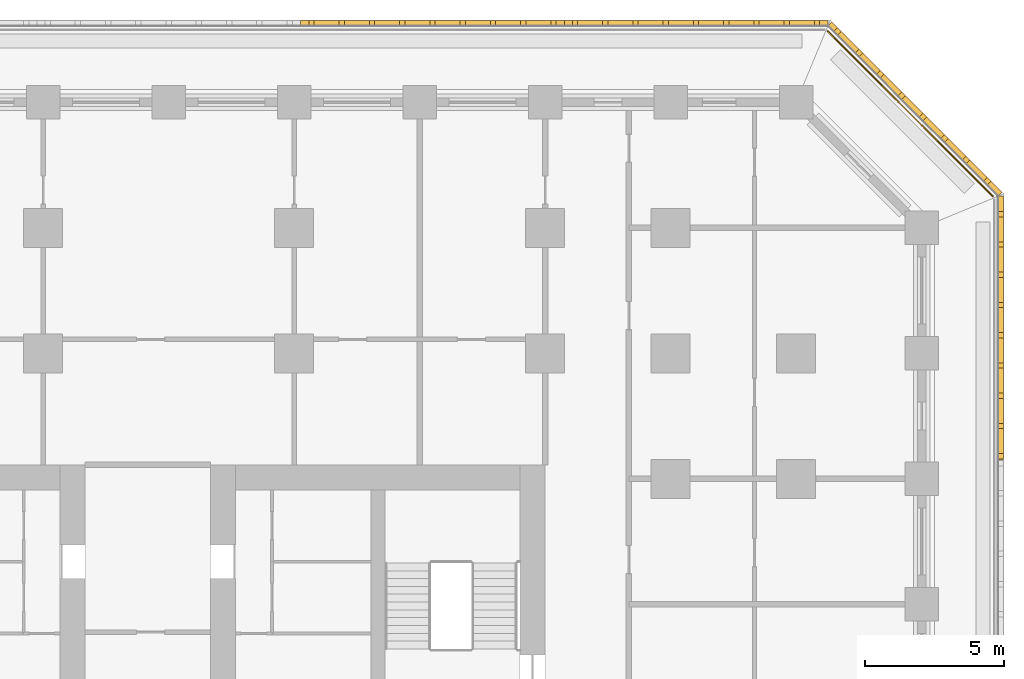
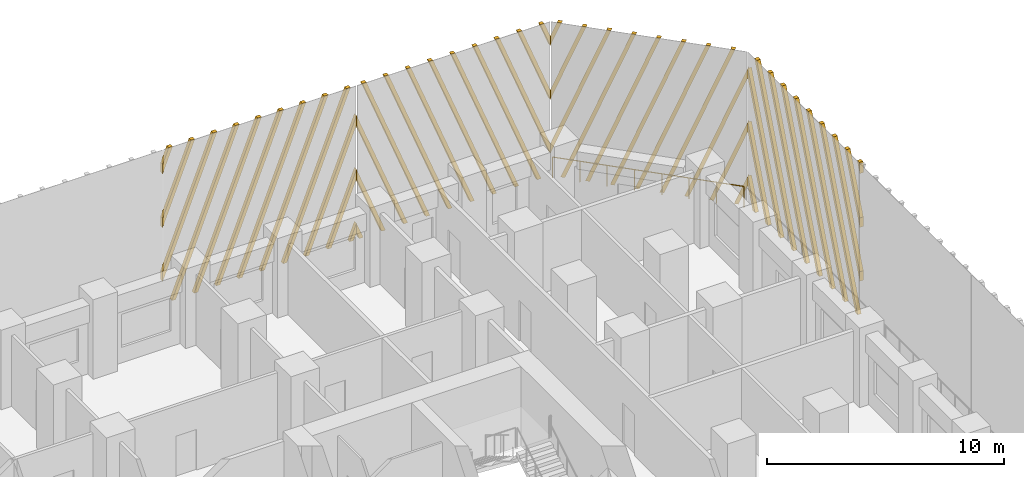
# One storey, part 19 of 20: 4 shading devices, 1 railing.
"""IFC4 building model written with IfcOpenShell, lengths in metres."""

from ifc_helpers import new_model, si_unit, direction, frame, origin, origin_2d, place, context, subcontext, project, spatial, polyline, circle, outline, extrude, source, transform, mapped, material, type_object, element, save


model = new_model("IFC4")

# Units and contexts
model_context = context("Model", 3, precision=1e-05, world=origin(), true_north=direction((0.0, 1.0)))
body_context = subcontext(model_context, "Body", "Model", "MODEL_VIEW")
ifc_project = project(units=[si_unit("LENGTHUNIT", "METRE"), si_unit("AREAUNIT", "SQUARE_METRE"), si_unit("VOLUMEUNIT", "CUBIC_METRE"), si_unit("PLANEANGLEUNIT", "RADIAN"), si_unit("MASSUNIT", "GRAM", prefix="KILO")], contexts=[model_context])

# Site, building, storey
site_placement = place(None, origin())
site = spatial("IfcSite", under=ifc_project, at=site_placement, CompositionType="ELEMENT")
building_placement = place(site_placement, origin())
building = spatial("IfcBuilding", under=site, at=building_placement, Name="Corbel Stack Research Tower", CompositionType="ELEMENT")
storey_placement = place(building_placement, frame((0.0, 0.0, 98.39990234375)))
storey = spatial("IfcBuildingStorey", under=building, at=storey_placement, Name="L22", CompositionType="ELEMENT", Elevation=98.39990234375)

# Railing
ifc_material_1 = material(Name="Powder-coated steel guard", Category="steel")
railing_type = type_object("IfcRailingType", Name="Steel and glass guard 1100", PredefinedType="GUARDRAIL", material=ifc_material_1)
railing_placement = place(storey_placement, frame((34.04931640625, 28.127685546875, 0.0)))
element("IfcRailing", 1, at=railing_placement, inside=storey, type_object=railing_type, Name="Loggia guard L22 NE", PredefinedType="GUARDRAIL", context=body_context, shape_type="SweptSolid", body=[
    extrude(circle(Radius=0.02392578125, at=origin_2d()), frame((0.0, 0.0, 1.076171875), z_axis=(-0.707106781187, 0.707106781187, 0.0), x_axis=(-0.707106781187, -0.707106781187, 0.0)), (0.0, 0.0, 1.0), 8.37451171875),
    extrude(circle(Radius=0.02099609375, at=origin_2d()), origin(), (0.0, 0.0, 1.0), 1.052001953125),
    extrude(circle(Radius=0.02099609375, at=origin_2d()), frame((-0.845947265625, 0.845947265625, 0.0)), (0.0, 0.0, 1.0), 1.052001953125),
    extrude(circle(Radius=0.02099609375, at=origin_2d()), frame((-1.69189453125, 1.69189453125, 0.0)), (0.0, 0.0, 1.0), 1.052001953125),
    extrude(circle(Radius=0.02099609375, at=origin_2d()), frame((-2.537841796875, 2.537841796875, 0.0)), (0.0, 0.0, 1.0), 1.052001953125),
    extrude(circle(Radius=0.02099609375, at=origin_2d()), frame((-3.3837890625, 3.3837890625, 0.0)), (0.0, 0.0, 1.0), 1.052001953125),
    extrude(circle(Radius=0.02099609375, at=origin_2d()), frame((-4.229736328125, 4.229736328125, 0.0)), (0.0, 0.0, 1.0), 1.052001953125),
    extrude(circle(Radius=0.02099609375, at=origin_2d()), frame((-5.07568359375, 5.07568359375, 0.0)), (0.0, 0.0, 1.0), 1.052001953125),
    extrude(circle(Radius=0.02099609375, at=origin_2d()), frame((-5.921630859375, 5.921630859375, 0.0)), (0.0, 0.0, 1.0), 1.052001953125),
])

# Shading devices
ifc_material_2 = material(Name="Precast terracotta", Category="masonry")
shading_device_type = type_object("IfcShadingDeviceType", Name="Terracotta screen panel", PredefinedType="USERDEFINED", material=ifc_material_2)
shared_shape_1 = source(origin(), body_context, "Body", "SweptSolid", [
    extrude(outline(polyline([(0.217041015625, 7.949951171875), (0.027099609375, 7.949951171875), (0.0, 7.880859375), (0.0, 7.394287109375), (0.217041015625, 7.949951171875)])), frame((0.0, 0.0, 0.0), z_axis=(0.0, -1.0, 0.0), x_axis=(1.0, 0.0, 0.0)), (0.0, 0.0, 1.0), 0.179931640625),
    extrude(outline(polyline([(1.3017578125, 7.949951171875), (1.11181640625, 7.949951171875), (0.0, 5.103515625), (0.0, 4.616943359375), (1.3017578125, 7.949951171875)])), frame((0.0, 0.0, 0.0), z_axis=(0.0, -1.0, 0.0), x_axis=(1.0, 0.0, 0.0)), (0.0, 0.0, 1.0), 0.179931640625),
    extrude(outline(polyline([(2.386474609375, 7.949951171875), (2.1962890625, 7.949951171875), (0.0, 2.326171875), (0.0, 1.839599609375), (2.386474609375, 7.949951171875)])), frame((0.0, 0.0, 0.0), z_axis=(0.0, -1.0, 0.0), x_axis=(1.0, 0.0, 0.0)), (0.0, 0.0, 1.0), 0.179931640625),
    extrude(outline(polyline([(0.3662109375, 0.0), (3.470947265625, 7.949951171875), (3.281005859375, 7.949951171875), (0.17626953125, 0.0), (0.3662109375, 0.0)])), frame((0.0, 0.0, 0.0), z_axis=(0.0, -1.0, 0.0), x_axis=(1.0, 0.0, 0.0)), (0.0, 0.0, 1.0), 0.179931640625),
    extrude(outline(polyline([(1.45068359375, 0.0), (4.5556640625, 7.949951171875), (4.36572265625, 7.949951171875), (1.2607421875, 0.0), (1.45068359375, 0.0)])), frame((0.0, 0.0, 0.0), z_axis=(0.0, -1.0, 0.0), x_axis=(1.0, 0.0, 0.0)), (0.0, 0.0, 1.0), 0.179931640625),
    extrude(outline(polyline([(2.535400390625, 0.0), (5.640380859375, 7.949951171875), (5.4501953125, 7.949951171875), (2.345458984375, 0.0), (2.535400390625, 0.0)])), frame((0.0, 0.0, 0.0), z_axis=(0.0, -1.0, 0.0), x_axis=(1.0, 0.0, 0.0)), (0.0, 0.0, 1.0), 0.179931640625),
    extrude(outline(polyline([(3.6201171875, 0.0), (6.72509765625, 7.949951171875), (6.534912109375, 7.949951171875), (3.43017578125, 0.0), (3.6201171875, 0.0)])), frame((0.0, 0.0, 0.0), z_axis=(0.0, -1.0, 0.0), x_axis=(1.0, 0.0, 0.0)), (0.0, 0.0, 1.0), 0.179931640625),
    extrude(outline(polyline([(4.704833984375, 0.0), (7.809814453125, 7.949951171875), (7.61962890625, 7.949951171875), (4.514892578125, 0.0), (4.704833984375, 0.0)])), frame((0.0, 0.0, 0.0), z_axis=(0.0, -1.0, 0.0), x_axis=(1.0, 0.0, 0.0)), (0.0, 0.0, 1.0), 0.179931640625),
    extrude(outline(polyline([(5.78955078125, 0.0), (8.894287109375, 7.949951171875), (8.704345703125, 7.949951171875), (5.599609375, 0.0), (5.78955078125, 0.0)])), frame((0.0, 0.0, 0.0), z_axis=(0.0, -1.0, 0.0), x_axis=(1.0, 0.0, 0.0)), (0.0, 0.0, 1.0), 0.179931640625),
    extrude(outline(polyline([(6.874267578125, 0.0), (9.45556640625, 6.60986328125), (9.45556640625, 7.096435546875), (6.68408203125, 0.0), (6.874267578125, 0.0)])), frame((0.0, 0.0, 0.0), z_axis=(0.0, -1.0, 0.0), x_axis=(1.0, 0.0, 0.0)), (0.0, 0.0, 1.0), 0.179931640625),
    extrude(outline(polyline([(7.958740234375, 0.0), (9.45556640625, 3.83251953125), (9.45556640625, 4.319091796875), (7.768798828125, 0.0), (7.958740234375, 0.0)])), frame((0.0, 0.0, 0.0), z_axis=(0.0, -1.0, 0.0), x_axis=(1.0, 0.0, 0.0)), (0.0, 0.0, 1.0), 0.179931640625),
    extrude(outline(polyline([(9.04345703125, 0.0), (9.45556640625, 1.055419921875), (9.45556640625, 1.541748046875), (8.853515625, 0.0), (9.04345703125, 0.0)])), frame((0.0, 0.0, 0.0), z_axis=(0.0, -1.0, 0.0), x_axis=(1.0, 0.0, 0.0)), (0.0, 0.0, 1.0), 0.179931640625),
])
shading_device_1_placement = place(storey_placement, frame((34.25, 18.68359375, 0.0), z_axis=(0.0, 0.0, 1.0), x_axis=(0.0, 1.0, 0.0)))
element("IfcShadingDevice", 2, at=shading_device_1_placement, inside=storey, type_object=shading_device_type, Name="Terracotta screen L22 E5", ObjectType="SCREEN", PredefinedType="USERDEFINED", context=body_context, shape_type="MappedRepresentation", body=[
    mapped(shared_shape_1, transform((0.0, 0.0, 0.0))),
])
shared_shape_2 = source(origin(), body_context, "Body", "SweptSolid", [
    extrude(outline(polyline([(0.60205078125, 0.0), (0.0, 1.541748046875), (0.0, 1.055419921875), (0.412109375, 0.0), (0.60205078125, 0.0)])), frame((0.0, 0.0, 0.0), z_axis=(0.0, -1.0, 0.0), x_axis=(1.0, 0.0, 0.0)), (0.0, 0.0, 1.0), 0.179931640625),
    extrude(outline(polyline([(1.686767578125, 0.0), (0.0, 4.319091796875), (0.0, 3.83251953125), (1.496826171875, 0.0), (1.686767578125, 0.0)])), frame((0.0, 0.0, 0.0), z_axis=(0.0, -1.0, 0.0), x_axis=(1.0, 0.0, 0.0)), (0.0, 0.0, 1.0), 0.179931640625),
    extrude(outline(polyline([(2.771484375, 0.0), (0.0, 7.096435546875), (0.0, 6.60986328125), (2.58154296875, 0.0), (2.771484375, 0.0)])), frame((0.0, 0.0, 0.0), z_axis=(0.0, -1.0, 0.0), x_axis=(1.0, 0.0, 0.0)), (0.0, 0.0, 1.0), 0.179931640625),
    extrude(outline(polyline([(3.856201171875, 0.0), (0.751220703125, 7.949951171875), (0.561279296875, 7.949951171875), (3.666015625, 0.0), (3.856201171875, 0.0)])), frame((0.0, 0.0, 0.0), z_axis=(0.0, -1.0, 0.0), x_axis=(1.0, 0.0, 0.0)), (0.0, 0.0, 1.0), 0.179931640625),
    extrude(outline(polyline([(4.94091796875, 0.0), (1.8359375, 7.949951171875), (1.64599609375, 7.949951171875), (4.750732421875, 0.0), (4.94091796875, 0.0)])), frame((0.0, 0.0, 0.0), z_axis=(0.0, -1.0, 0.0), x_axis=(1.0, 0.0, 0.0)), (0.0, 0.0, 1.0), 0.179931640625),
    extrude(outline(polyline([(6.025390625, 0.0), (2.920654296875, 7.949951171875), (2.730712890625, 7.949951171875), (5.83544921875, 0.0), (6.025390625, 0.0)])), frame((0.0, 0.0, 0.0), z_axis=(0.0, -1.0, 0.0), x_axis=(1.0, 0.0, 0.0)), (0.0, 0.0, 1.0), 0.179931640625),
    extrude(outline(polyline([(7.110107421875, 0.0), (4.00537109375, 7.949951171875), (3.815185546875, 7.949951171875), (6.920166015625, 0.0), (7.110107421875, 0.0)])), frame((0.0, 0.0, 0.0), z_axis=(0.0, -1.0, 0.0), x_axis=(1.0, 0.0, 0.0)), (0.0, 0.0, 1.0), 0.179931640625),
    extrude(outline(polyline([(8.19482421875, 0.0), (5.090087890625, 7.949951171875), (4.89990234375, 7.949951171875), (8.0048828125, 0.0), (8.19482421875, 0.0)])), frame((0.0, 0.0, 0.0), z_axis=(0.0, -1.0, 0.0), x_axis=(1.0, 0.0, 0.0)), (0.0, 0.0, 1.0), 0.179931640625),
    extrude(outline(polyline([(6.174560546875, 7.949951171875), (5.984619140625, 7.949951171875), (8.64208984375, 1.1455078125), (8.64208984375, 1.6318359375), (6.174560546875, 7.949951171875)])), frame((0.0, 0.0, 0.0), z_axis=(0.0, -1.0, 0.0), x_axis=(1.0, 0.0, 0.0)), (0.0, 0.0, 1.0), 0.179931640625),
    extrude(outline(polyline([(7.25927734375, 7.949951171875), (7.0693359375, 7.949951171875), (8.64208984375, 3.922607421875), (8.64208984375, 4.4091796875), (7.25927734375, 7.949951171875)])), frame((0.0, 0.0, 0.0), z_axis=(0.0, -1.0, 0.0), x_axis=(1.0, 0.0, 0.0)), (0.0, 0.0, 1.0), 0.179931640625),
    extrude(outline(polyline([(8.343994140625, 7.949951171875), (8.15380859375, 7.949951171875), (8.64208984375, 6.699951171875), (8.64208984375, 7.1865234375), (8.343994140625, 7.949951171875)])), frame((0.0, 0.0, 0.0), z_axis=(0.0, -1.0, 0.0), x_axis=(1.0, 0.0, 0.0)), (0.0, 0.0, 1.0), 0.179931640625),
])
shading_device_2_placement = place(storey_placement, frame((34.25, 28.13916015625, 0.0), z_axis=(0.0, 0.0, 1.0), x_axis=(-0.707106781187, 0.707106781187, 0.0)))
element("IfcShadingDevice", 3, at=shading_device_2_placement, inside=storey, type_object=shading_device_type, Name="Terracotta screen L22 NE1", ObjectType="SCREEN", PredefinedType="USERDEFINED", context=body_context, shape_type="MappedRepresentation", body=[
    mapped(shared_shape_2, transform((0.0, 0.0, 0.0))),
])
shared_shape_3 = source(origin(), body_context, "Body", "SweptSolid", [
    extrude(outline(polyline([(0.48828125, 7.949951171875), (0.298095703125, 7.949951171875), (0.0, 7.1865234375), (0.0, 6.699951171875), (0.48828125, 7.949951171875)])), frame((0.0, 0.0, 0.0), z_axis=(0.0, -1.0, 0.0), x_axis=(1.0, 0.0, 0.0)), (0.0, 0.0, 1.0), 0.179931640625),
    extrude(outline(polyline([(1.572998046875, 7.949951171875), (1.3828125, 7.949951171875), (0.0, 4.4091796875), (0.0, 3.922607421875), (1.572998046875, 7.949951171875)])), frame((0.0, 0.0, 0.0), z_axis=(0.0, -1.0, 0.0), x_axis=(1.0, 0.0, 0.0)), (0.0, 0.0, 1.0), 0.179931640625),
    extrude(outline(polyline([(2.657470703125, 7.949951171875), (2.467529296875, 7.949951171875), (0.0, 1.6318359375), (0.0, 1.1455078125), (2.657470703125, 7.949951171875)])), frame((0.0, 0.0, 0.0), z_axis=(0.0, -1.0, 0.0), x_axis=(1.0, 0.0, 0.0)), (0.0, 0.0, 1.0), 0.179931640625),
    extrude(outline(polyline([(0.63720703125, 0.0), (3.7421875, 7.949951171875), (3.55224609375, 7.949951171875), (0.447265625, 0.0), (0.63720703125, 0.0)])), frame((0.0, 0.0, 0.0), z_axis=(0.0, -1.0, 0.0), x_axis=(1.0, 0.0, 0.0)), (0.0, 0.0, 1.0), 0.179931640625),
    extrude(outline(polyline([(1.721923828125, 0.0), (4.826904296875, 7.949951171875), (4.636962890625, 7.949951171875), (1.531982421875, 0.0), (1.721923828125, 0.0)])), frame((0.0, 0.0, 0.0), z_axis=(0.0, -1.0, 0.0), x_axis=(1.0, 0.0, 0.0)), (0.0, 0.0, 1.0), 0.179931640625),
    extrude(outline(polyline([(2.806640625, 0.0), (5.91162109375, 7.949951171875), (5.721435546875, 7.949951171875), (2.61669921875, 0.0), (2.806640625, 0.0)])), frame((0.0, 0.0, 0.0), z_axis=(0.0, -1.0, 0.0), x_axis=(1.0, 0.0, 0.0)), (0.0, 0.0, 1.0), 0.179931640625),
    extrude(outline(polyline([(3.891357421875, 0.0), (6.99609375, 7.949951171875), (6.80615234375, 7.949951171875), (3.701416015625, 0.0), (3.891357421875, 0.0)])), frame((0.0, 0.0, 0.0), z_axis=(0.0, -1.0, 0.0), x_axis=(1.0, 0.0, 0.0)), (0.0, 0.0, 1.0), 0.179931640625),
    extrude(outline(polyline([(4.97607421875, 0.0), (8.080810546875, 7.949951171875), (7.890869140625, 7.949951171875), (4.785888671875, 0.0), (4.97607421875, 0.0)])), frame((0.0, 0.0, 0.0), z_axis=(0.0, -1.0, 0.0), x_axis=(1.0, 0.0, 0.0)), (0.0, 0.0, 1.0), 0.179931640625),
    extrude(outline(polyline([(6.060791015625, 0.0), (9.16552734375, 7.949951171875), (8.9755859375, 7.949951171875), (5.87060546875, 0.0), (6.060791015625, 0.0)])), frame((0.0, 0.0, 0.0), z_axis=(0.0, -1.0, 0.0), x_axis=(1.0, 0.0, 0.0)), (0.0, 0.0, 1.0), 0.179931640625),
    extrude(outline(polyline([(7.145263671875, 0.0), (9.45556640625, 5.91552734375), (9.45556640625, 6.402099609375), (6.955322265625, 0.0), (7.145263671875, 0.0)])), frame((0.0, 0.0, 0.0), z_axis=(0.0, -1.0, 0.0), x_axis=(1.0, 0.0, 0.0)), (0.0, 0.0, 1.0), 0.179931640625),
    extrude(outline(polyline([(8.22998046875, 0.0), (9.45556640625, 3.13818359375), (9.45556640625, 3.624755859375), (8.0400390625, 0.0), (8.22998046875, 0.0)])), frame((0.0, 0.0, 0.0), z_axis=(0.0, -1.0, 0.0), x_axis=(1.0, 0.0, 0.0)), (0.0, 0.0, 1.0), 0.179931640625),
    extrude(outline(polyline([(9.314697265625, 0.0), (9.45556640625, 0.361083984375), (9.45556640625, 0.847412109375), (9.124755859375, 0.0), (9.314697265625, 0.0)])), frame((0.0, 0.0, 0.0), z_axis=(0.0, -1.0, 0.0), x_axis=(1.0, 0.0, 0.0)), (0.0, 0.0, 1.0), 0.179931640625),
])
shading_device_3_placement = place(storey_placement, frame((28.13916015625, 34.25, 0.0), z_axis=(0.0, 0.0, 1.0), x_axis=(-1.0, 0.0, 0.0)))
element("IfcShadingDevice", 4, at=shading_device_3_placement, inside=storey, type_object=shading_device_type, Name="Terracotta screen L22 N1", ObjectType="SCREEN", PredefinedType="USERDEFINED", context=body_context, shape_type="MappedRepresentation", body=[
    mapped(shared_shape_3, transform((0.0, 0.0, 0.0))),
])
shared_shape_4 = source(origin(), body_context, "Body", "SweptSolid", [
    extrude(outline(polyline([(0.3310546875, 0.0), (0.0, 0.847412109375), (0.0, 0.361083984375), (0.14111328125, 0.0), (0.3310546875, 0.0)])), frame((0.0, 0.0, 0.0), z_axis=(0.0, -1.0, 0.0), x_axis=(1.0, 0.0, 0.0)), (0.0, 0.0, 1.0), 0.179931640625),
    extrude(outline(polyline([(1.41552734375, 0.0), (0.0, 3.624755859375), (0.0, 3.13818359375), (1.2255859375, 0.0), (1.41552734375, 0.0)])), frame((0.0, 0.0, 0.0), z_axis=(0.0, -1.0, 0.0), x_axis=(1.0, 0.0, 0.0)), (0.0, 0.0, 1.0), 0.179931640625),
    extrude(outline(polyline([(2.500244140625, 0.0), (0.0, 6.402099609375), (0.0, 5.91552734375), (2.310302734375, 0.0), (2.500244140625, 0.0)])), frame((0.0, 0.0, 0.0), z_axis=(0.0, -1.0, 0.0), x_axis=(1.0, 0.0, 0.0)), (0.0, 0.0, 1.0), 0.179931640625),
    extrude(outline(polyline([(3.5849609375, 0.0), (0.47998046875, 7.949951171875), (0.2900390625, 7.949951171875), (3.39501953125, 0.0), (3.5849609375, 0.0)])), frame((0.0, 0.0, 0.0), z_axis=(0.0, -1.0, 0.0), x_axis=(1.0, 0.0, 0.0)), (0.0, 0.0, 1.0), 0.179931640625),
    extrude(outline(polyline([(4.669677734375, 0.0), (1.564697265625, 7.949951171875), (1.374755859375, 7.949951171875), (4.4794921875, 0.0), (4.669677734375, 0.0)])), frame((0.0, 0.0, 0.0), z_axis=(0.0, -1.0, 0.0), x_axis=(1.0, 0.0, 0.0)), (0.0, 0.0, 1.0), 0.179931640625),
    extrude(outline(polyline([(5.75439453125, 0.0), (2.6494140625, 7.949951171875), (2.45947265625, 7.949951171875), (5.564208984375, 0.0), (5.75439453125, 0.0)])), frame((0.0, 0.0, 0.0), z_axis=(0.0, -1.0, 0.0), x_axis=(1.0, 0.0, 0.0)), (0.0, 0.0, 1.0), 0.179931640625),
    extrude(outline(polyline([(6.839111328125, 0.0), (3.734130859375, 7.949951171875), (3.544189453125, 7.949951171875), (6.64892578125, 0.0), (6.839111328125, 0.0)])), frame((0.0, 0.0, 0.0), z_axis=(0.0, -1.0, 0.0), x_axis=(1.0, 0.0, 0.0)), (0.0, 0.0, 1.0), 0.179931640625),
    extrude(outline(polyline([(7.923583984375, 0.0), (4.81884765625, 7.949951171875), (4.62890625, 7.949951171875), (7.733642578125, 0.0), (7.923583984375, 0.0)])), frame((0.0, 0.0, 0.0), z_axis=(0.0, -1.0, 0.0), x_axis=(1.0, 0.0, 0.0)), (0.0, 0.0, 1.0), 0.179931640625),
    extrude(outline(polyline([(9.00830078125, 0.0), (5.903564453125, 7.949951171875), (5.71337890625, 7.949951171875), (8.818359375, 0.0), (9.00830078125, 0.0)])), frame((0.0, 0.0, 0.0), z_axis=(0.0, -1.0, 0.0), x_axis=(1.0, 0.0, 0.0)), (0.0, 0.0, 1.0), 0.179931640625),
    extrude(outline(polyline([(6.988037109375, 7.949951171875), (6.798095703125, 7.949951171875), (9.45556640625, 1.1455078125), (9.45556640625, 1.6318359375), (6.988037109375, 7.949951171875)])), frame((0.0, 0.0, 0.0), z_axis=(0.0, -1.0, 0.0), x_axis=(1.0, 0.0, 0.0)), (0.0, 0.0, 1.0), 0.179931640625),
    extrude(outline(polyline([(8.07275390625, 7.949951171875), (7.8828125, 7.949951171875), (9.45556640625, 3.922607421875), (9.45556640625, 4.4091796875), (8.07275390625, 7.949951171875)])), frame((0.0, 0.0, 0.0), z_axis=(0.0, -1.0, 0.0), x_axis=(1.0, 0.0, 0.0)), (0.0, 0.0, 1.0), 0.179931640625),
    extrude(outline(polyline([(9.157470703125, 7.949951171875), (8.96728515625, 7.949951171875), (9.45556640625, 6.699951171875), (9.45556640625, 7.1865234375), (9.157470703125, 7.949951171875)])), frame((0.0, 0.0, 0.0), z_axis=(0.0, -1.0, 0.0), x_axis=(1.0, 0.0, 0.0)), (0.0, 0.0, 1.0), 0.179931640625),
])
shading_device_4_placement = place(storey_placement, frame((18.68359375, 34.25, 0.0), z_axis=(0.0, 0.0, 1.0), x_axis=(-1.0, 0.0, 0.0)))
element("IfcShadingDevice", 5, at=shading_device_4_placement, inside=storey, type_object=shading_device_type, Name="Terracotta screen L22 N2", ObjectType="SCREEN", PredefinedType="USERDEFINED", context=body_context, shape_type="MappedRepresentation", body=[
    mapped(shared_shape_4, transform((0.0, 0.0, 0.0))),
])

save(model, "model.ifc")
